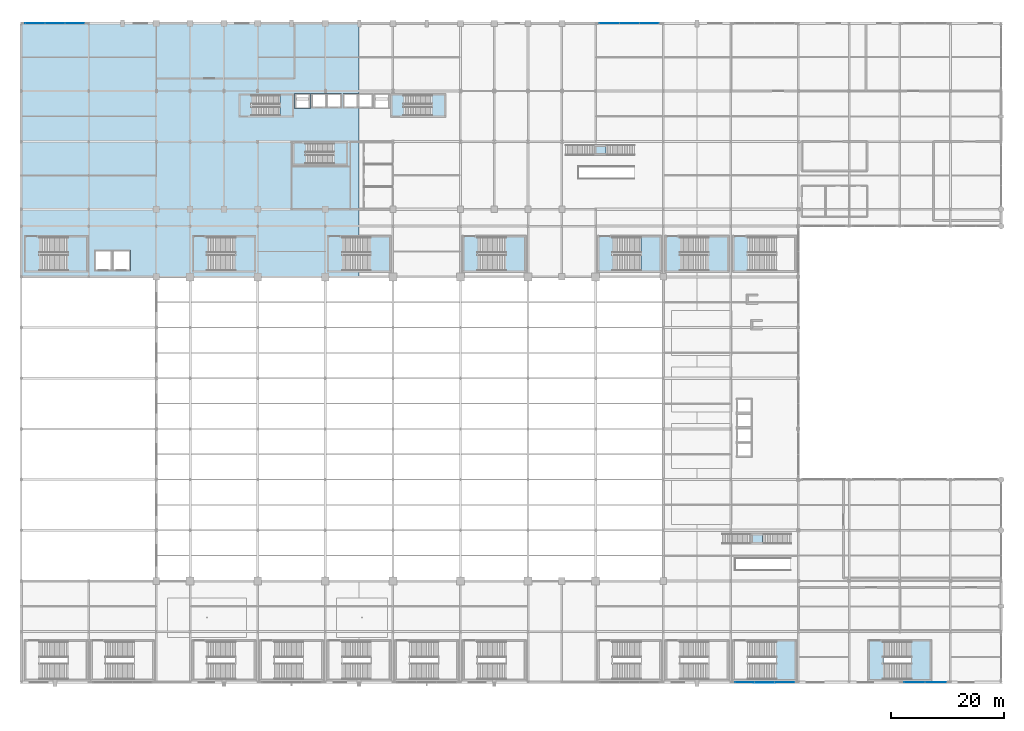
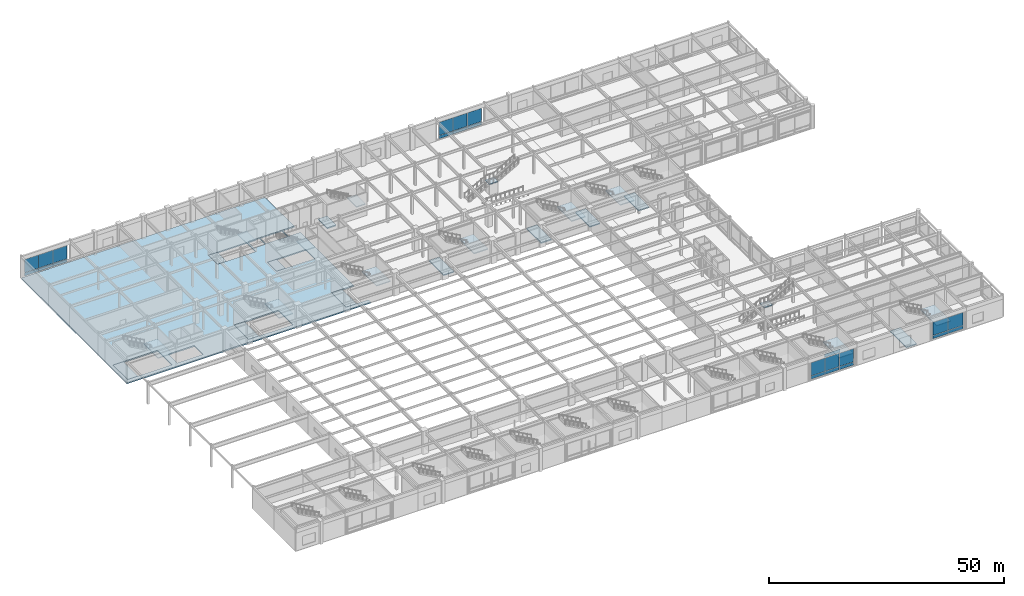
# One storey, part 80 of 105: 25 slabs, 23 plates, 17 elements without a shape of their own.
"""IFC4 building model written with IfcOpenShell, lengths in metres."""

from ifc_helpers import new_model, si_unit, direction, frame, origin, origin_2d, place, context, subcontext, project, spatial, polyline, rectangle, outline, extrude, material, layer, layer_set, type_object, element, aggregate, save


model = new_model("IFC4")

# Units and contexts
model_context = context("Model", 3, precision=1e-05, world=origin(), true_north=direction((0.0, 1.0)))
body_context = subcontext(model_context, "Body", "Model", "MODEL_VIEW")
ifc_project = project(units=[si_unit("LENGTHUNIT", "METRE"), si_unit("AREAUNIT", "SQUARE_METRE"), si_unit("VOLUMEUNIT", "CUBIC_METRE"), si_unit("PLANEANGLEUNIT", "RADIAN"), si_unit("MASSUNIT", "GRAM", prefix="KILO")], contexts=[model_context])

# Site, building, storey
site_placement = place(None, origin())
site = spatial("IfcSite", under=ifc_project, at=site_placement, CompositionType="ELEMENT")
building_placement = place(site_placement, origin())
building = spatial("IfcBuilding", under=site, at=building_placement, Name="Kaldorvane Square Convention Centre", CompositionType="ELEMENT")
storey_placement = place(building_placement, frame((0.0, 0.0, 6.0)))
storey = spatial("IfcBuildingStorey", under=building, at=storey_placement, Name="L01", CompositionType="ELEMENT", Elevation=6.0)

# Curtain wall, plates
ifc_material_1 = material(Name="Anodized Aluminum and Low-E Insulated Glazing", Category="aluminium")
curtain_wall_type_1 = type_object("IfcCurtainWallType", Name="CW-UNI-P60-12", PredefinedType="USERDEFINED", material=ifc_material_1)
curtain_wall_1_placement = place(storey_placement, origin())
curtain_wall_1 = element("IfcCurtainWall", 1, at=curtain_wall_1_placement, inside=storey, type_object=curtain_wall_type_1, Name="Curtain Wall CW-01 (L01)", ObjectType="UNITISED GLAZING", PredefinedType="USERDEFINED")
ifc_layer_1 = layer(ifc_material_1, 0.037994384765625)
ifc_layer_set_1 = layer_set([ifc_layer_1], Name="Anodized Aluminum and Low-E Insulated Glazing")
plate_type_1 = type_object("IfcPlateType", Name="CW-PNL-01", PredefinedType="CURTAIN_PANEL", material=ifc_layer_set_1)
plate_1_placement = place(storey_placement, frame((128.48541259765625, 0.0, 0.214996337890625), z_axis=(0.0, 0.0, 1.0), x_axis=(1.0, 0.0, 0.0)))
plate_1 = element("IfcPlate", 2, at=plate_1_placement, type_object=plate_type_1, Name="CW-01 panel 1.1", PredefinedType="CURTAIN_PANEL", context=body_context, shape_type="SweptSolid", body=[
    extrude(rectangle(XDim=3.42083740234375, YDim=0.037994384765625, at=origin_2d()), origin(), (0.0, 0.0, 1.0), 0.8025054931640625),
])
plate_2_placement = place(storey_placement, frame((128.48541259765625, 0.0, 1.0825042724609375), z_axis=(0.0, 0.0, 1.0), x_axis=(1.0, 0.0, 0.0)))
plate_2 = element("IfcPlate", 3, at=plate_2_placement, type_object=plate_type_1, Name="CW-01 panel 1.2", PredefinedType="CURTAIN_PANEL", context=body_context, shape_type="SweptSolid", body=[
    extrude(rectangle(XDim=3.42083740234375, YDim=0.037994384765625, at=origin_2d()), origin(), (0.0, 0.0, 1.0), 3.412506103515625),
])
plate_3_placement = place(storey_placement, frame((132.0, 0.0, 0.214996337890625), z_axis=(0.0, 0.0, 1.0), x_axis=(1.0, 0.0, 0.0)))
plate_3 = element("IfcPlate", 4, at=plate_3_placement, type_object=plate_type_1, Name="CW-01 panel 2.1", PredefinedType="CURTAIN_PANEL", context=body_context, shape_type="SweptSolid", body=[
    extrude(rectangle(XDim=3.4583282470703125, YDim=0.037994384765625, at=origin_2d()), origin(), (0.0, 0.0, 1.0), 0.8025054931640625),
])
plate_4_placement = place(storey_placement, frame((132.0, 0.0, 1.0825042724609375), z_axis=(0.0, 0.0, 1.0), x_axis=(1.0, 0.0, 0.0)))
plate_4 = element("IfcPlate", 5, at=plate_4_placement, type_object=plate_type_1, Name="CW-01 panel 2.2", PredefinedType="CURTAIN_PANEL", context=body_context, shape_type="SweptSolid", body=[
    extrude(rectangle(XDim=3.4583282470703125, YDim=0.037994384765625, at=origin_2d()), origin(), (0.0, 0.0, 1.0), 3.412506103515625),
])
plate_5_placement = place(storey_placement, frame((135.51458740234375, 0.0, 0.214996337890625), z_axis=(0.0, 0.0, 1.0), x_axis=(1.0, 0.0, 0.0)))
plate_5 = element("IfcPlate", 6, at=plate_5_placement, type_object=plate_type_1, Name="CW-01 panel 3.1", PredefinedType="CURTAIN_PANEL", context=body_context, shape_type="SweptSolid", body=[
    extrude(rectangle(XDim=3.42083740234375, YDim=0.037994384765625, at=origin_2d()), origin(), (0.0, 0.0, 1.0), 0.8025054931640625),
])
plate_6_placement = place(storey_placement, frame((135.51458740234375, 0.0, 1.0825042724609375), z_axis=(0.0, 0.0, 1.0), x_axis=(1.0, 0.0, 0.0)))
plate_6 = element("IfcPlate", 7, at=plate_6_placement, type_object=plate_type_1, Name="CW-01 panel 3.2", PredefinedType="CURTAIN_PANEL", context=body_context, shape_type="SweptSolid", body=[
    extrude(rectangle(XDim=3.42083740234375, YDim=0.037994384765625, at=origin_2d()), origin(), (0.0, 0.0, 1.0), 3.412506103515625),
])
aggregate(curtain_wall_1, [plate_1, plate_2, plate_3, plate_4, plate_5, plate_6])

curtain_wall_2_placement = place(storey_placement, origin())
curtain_wall_2 = element("IfcCurtainWall", 8, at=curtain_wall_2_placement, inside=storey, type_object=curtain_wall_type_1, Name="Curtain Wall CW-01 (L01)", ObjectType="UNITISED GLAZING", PredefinedType="USERDEFINED")
plate_7_placement = place(storey_placement, frame((158.61874389648438, 0.0, 0.214996337890625), z_axis=(0.0, 0.0, 1.0), x_axis=(1.0, 0.0, 0.0)))
plate_7 = element("IfcPlate", 9, at=plate_7_placement, type_object=plate_type_1, Name="CW-01 panel 1.1", PredefinedType="CURTAIN_PANEL", context=body_context, shape_type="SweptSolid", body=[
    extrude(rectangle(XDim=3.6875, YDim=0.037994384765625, at=origin_2d()), origin(), (0.0, 0.0, 1.0), 0.8025054931640625),
])
plate_8_placement = place(storey_placement, frame((158.61874389648438, 0.0, 1.0825042724609375), z_axis=(0.0, 0.0, 1.0), x_axis=(1.0, 0.0, 0.0)))
plate_8 = element("IfcPlate", 10, at=plate_8_placement, type_object=plate_type_1, Name="CW-01 panel 1.2", PredefinedType="CURTAIN_PANEL", context=body_context, shape_type="SweptSolid", body=[
    extrude(rectangle(XDim=3.6875, YDim=0.037994384765625, at=origin_2d()), origin(), (0.0, 0.0, 1.0), 3.412506103515625),
])
plate_9_placement = place(storey_placement, frame((162.38125610351562, 0.0, 0.214996337890625), z_axis=(0.0, 0.0, 1.0), x_axis=(1.0, 0.0, 0.0)))
plate_9 = element("IfcPlate", 11, at=plate_9_placement, type_object=plate_type_1, Name="CW-01 panel 2.1", PredefinedType="CURTAIN_PANEL", context=body_context, shape_type="SweptSolid", body=[
    extrude(rectangle(XDim=3.6875, YDim=0.037994384765625, at=origin_2d()), origin(), (0.0, 0.0, 1.0), 0.8025054931640625),
])
plate_10_placement = place(storey_placement, frame((162.38125610351562, 0.0, 1.0825042724609375), z_axis=(0.0, 0.0, 1.0), x_axis=(1.0, 0.0, 0.0)))
plate_10 = element("IfcPlate", 12, at=plate_10_placement, type_object=plate_type_1, Name="CW-01 panel 2.2", PredefinedType="CURTAIN_PANEL", context=body_context, shape_type="SweptSolid", body=[
    extrude(rectangle(XDim=3.6875, YDim=0.037994384765625, at=origin_2d()), origin(), (0.0, 0.0, 1.0), 3.412506103515625),
])
aggregate(curtain_wall_2, [plate_7, plate_8, plate_9, plate_10])

curtain_wall_type_2 = type_object("IfcCurtainWallType", Name="CW-UNI-P60-09", PredefinedType="USERDEFINED", material=ifc_material_1)
curtain_wall_3_placement = place(storey_placement, origin())
curtain_wall_3 = element("IfcCurtainWall", 13, at=curtain_wall_3_placement, inside=storey, type_object=curtain_wall_type_2, Name="Curtain Wall CW-02 (L01)", ObjectType="UNITISED GLAZING", PredefinedType="USERDEFINED")
ifc_layer_2 = layer(ifc_material_1, 0.0359954833984375)
ifc_layer_set_2 = layer_set([ifc_layer_2], Name="Anodized Aluminum and Low-E Insulated Glazing")
plate_type_2 = type_object("IfcPlateType", Name="CW-PNL-02", PredefinedType="CURTAIN_PANEL", material=ifc_layer_set_2)
plate_11_placement = place(storey_placement, frame((9.51708984375, 117.0, 0.2100067138671875), z_axis=(0.0, 0.0, 1.0), x_axis=(-1.0, 0.0, 0.0)))
plate_11 = element("IfcPlate", 14, at=plate_11_placement, type_object=plate_type_2, Name="CW-02 panel 1.1", PredefinedType="CURTAIN_PANEL", context=body_context, shape_type="SweptSolid", body=[
    extrude(rectangle(XDim=3.4358367919921875, YDim=0.0359954833984375, at=origin_2d()), origin(), (0.0, 0.0, 1.0), 0.80999755859375),
])
plate_12_placement = place(storey_placement, frame((9.51708984375, 117.0, 1.079986572265625), z_axis=(0.0, 0.0, 1.0), x_axis=(-1.0, 0.0, 0.0)))
plate_12 = element("IfcPlate", 15, at=plate_12_placement, type_object=plate_type_2, Name="CW-02 panel 1.2", PredefinedType="CURTAIN_PANEL", context=body_context, shape_type="SweptSolid", body=[
    extrude(rectangle(XDim=3.4358367919921875, YDim=0.0359954833984375, at=origin_2d()), origin(), (0.0, 0.0, 1.0), 3.4199981689453125),
])
plate_13_placement = place(storey_placement, frame((6.0, 117.0, 0.2100067138671875), z_axis=(0.0, 0.0, 1.0), x_axis=(-1.0, 0.0, 0.0)))
plate_13 = element("IfcPlate", 16, at=plate_13_placement, type_object=plate_type_2, Name="CW-02 panel 2.1", PredefinedType="CURTAIN_PANEL", context=body_context, shape_type="SweptSolid", body=[
    extrude(rectangle(XDim=3.4683380126953125, YDim=0.0359954833984375, at=origin_2d()), origin(), (0.0, 0.0, 1.0), 0.80999755859375),
])
plate_14_placement = place(storey_placement, frame((6.0, 117.0, 1.079986572265625), z_axis=(0.0, 0.0, 1.0), x_axis=(-1.0, 0.0, 0.0)))
plate_14 = element("IfcPlate", 17, at=plate_14_placement, type_object=plate_type_2, Name="CW-02 panel 2.2", PredefinedType="CURTAIN_PANEL", context=body_context, shape_type="SweptSolid", body=[
    extrude(rectangle(XDim=3.4683380126953125, YDim=0.0359954833984375, at=origin_2d()), origin(), (0.0, 0.0, 1.0), 3.4199981689453125),
])
plate_15_placement = place(storey_placement, frame((2.48291015625, 117.0, 0.2100067138671875), z_axis=(0.0, 0.0, 1.0), x_axis=(-1.0, 0.0, 0.0)))
plate_15 = element("IfcPlate", 18, at=plate_15_placement, type_object=plate_type_2, Name="CW-02 panel 3.1", PredefinedType="CURTAIN_PANEL", context=body_context, shape_type="SweptSolid", body=[
    extrude(rectangle(XDim=3.4358367919921875, YDim=0.0359954833984375, at=origin_2d()), origin(), (0.0, 0.0, 1.0), 0.80999755859375),
])
plate_16_placement = place(storey_placement, frame((2.48291015625, 117.0, 1.079986572265625), z_axis=(0.0, 0.0, 1.0), x_axis=(-1.0, 0.0, 0.0)))
plate_16 = element("IfcPlate", 19, at=plate_16_placement, type_object=plate_type_2, Name="CW-02 panel 3.2", PredefinedType="CURTAIN_PANEL", context=body_context, shape_type="SweptSolid", body=[
    extrude(rectangle(XDim=3.4358367919921875, YDim=0.0359954833984375, at=origin_2d()), origin(), (0.0, 0.0, 1.0), 3.4199981689453125),
])
aggregate(curtain_wall_3, [plate_11, plate_12, plate_13, plate_14, plate_15, plate_16])

curtain_wall_4_placement = place(storey_placement, origin())
curtain_wall_4 = element("IfcCurtainWall", 20, at=curtain_wall_4_placement, inside=storey, type_object=curtain_wall_type_2, Name="Curtain Wall CW-02 (L01)", ObjectType="UNITISED GLAZING", PredefinedType="USERDEFINED")
plate_17_placement = place(storey_placement, frame((111.51708984375, 117.0, 0.2100067138671875), z_axis=(0.0, 0.0, 1.0), x_axis=(-1.0, 0.0, 0.0)))
plate_17 = element("IfcPlate", 21, at=plate_17_placement, type_object=plate_type_2, Name="CW-02 panel 1.1", PredefinedType="CURTAIN_PANEL", context=body_context, shape_type="SweptSolid", body=[
    extrude(rectangle(XDim=3.4358367919921875, YDim=0.0359954833984375, at=origin_2d()), origin(), (0.0, 0.0, 1.0), 0.80999755859375),
])
plate_18_placement = place(storey_placement, frame((111.51708984375, 117.0, 1.079986572265625), z_axis=(0.0, 0.0, 1.0), x_axis=(-1.0, 0.0, 0.0)))
plate_18 = element("IfcPlate", 22, at=plate_18_placement, type_object=plate_type_2, Name="CW-02 panel 1.2", PredefinedType="CURTAIN_PANEL", context=body_context, shape_type="SweptSolid", body=[
    extrude(rectangle(XDim=3.4358367919921875, YDim=0.0359954833984375, at=origin_2d()), origin(), (0.0, 0.0, 1.0), 3.4199981689453125),
])
plate_19_placement = place(storey_placement, frame((108.0, 117.0, 0.2100067138671875), z_axis=(0.0, 0.0, 1.0), x_axis=(-1.0, 0.0, 0.0)))
plate_19 = element("IfcPlate", 23, at=plate_19_placement, type_object=plate_type_2, Name="CW-02 panel 2.1", PredefinedType="CURTAIN_PANEL", context=body_context, shape_type="SweptSolid", body=[
    extrude(rectangle(XDim=3.4683380126953125, YDim=0.0359954833984375, at=origin_2d()), origin(), (0.0, 0.0, 1.0), 0.80999755859375),
])
plate_20_placement = place(storey_placement, frame((108.0, 117.0, 1.079986572265625), z_axis=(0.0, 0.0, 1.0), x_axis=(-1.0, 0.0, 0.0)))
plate_20 = element("IfcPlate", 24, at=plate_20_placement, type_object=plate_type_2, Name="CW-02 panel 2.2", PredefinedType="CURTAIN_PANEL", context=body_context, shape_type="SweptSolid", body=[
    extrude(rectangle(XDim=3.4683380126953125, YDim=0.0359954833984375, at=origin_2d()), origin(), (0.0, 0.0, 1.0), 3.4199981689453125),
])
plate_21_placement = place(storey_placement, frame((104.48291015625, 117.0, 0.2100067138671875), z_axis=(0.0, 0.0, 1.0), x_axis=(-1.0, 0.0, 0.0)))
plate_21 = element("IfcPlate", 25, at=plate_21_placement, type_object=plate_type_2, Name="CW-02 panel 3.1", PredefinedType="CURTAIN_PANEL", context=body_context, shape_type="SweptSolid", body=[
    extrude(rectangle(XDim=3.4358367919921875, YDim=0.0359954833984375, at=origin_2d()), origin(), (0.0, 0.0, 1.0), 0.80999755859375),
])
plate_22_placement = place(storey_placement, frame((104.48291015625, 117.0, 1.079986572265625), z_axis=(0.0, 0.0, 1.0), x_axis=(-1.0, 0.0, 0.0)))
plate_22 = element("IfcPlate", 26, at=plate_22_placement, type_object=plate_type_2, Name="CW-02 panel 3.2", PredefinedType="CURTAIN_PANEL", context=body_context, shape_type="SweptSolid", body=[
    extrude(rectangle(XDim=3.4358367919921875, YDim=0.0359954833984375, at=origin_2d()), origin(), (0.0, 0.0, 1.0), 3.4199981689453125),
])
aggregate(curtain_wall_4, [plate_17, plate_18, plate_19, plate_20, plate_21, plate_22])

# Plate
ifc_material_2 = material(Name="Concrete f'c = 42 MPa (Normalweight) Precast", Category="concrete")
ifc_layer_3 = layer(ifc_material_2, 0.05999755859375)
ifc_layer_set_3 = layer_set([ifc_layer_3], Name="Concrete f'c = 42 MPa (Normalweight) Precast")
plate_type_3 = type_object("IfcPlateType", Name="PL-FASCIA-05", PredefinedType="USERDEFINED", material=ifc_layer_set_3)
plate_23_placement = place(storey_placement, frame((132.0, -0.0200042724609375, 4.75), z_axis=(0.0, 0.0, 1.0), x_axis=(1.0, 0.0, 0.0)))
element("IfcPlate", 27, at=plate_23_placement, inside=storey, type_object=plate_type_3, Name="Precast Spandrel Fascia Plate (L01)", ObjectType="CLADDING", PredefinedType="USERDEFINED", context=body_context, shape_type="SweptSolid", body=[
    extrude(rectangle(XDim=3.8000030517578125, YDim=0.05999755859375, at=origin_2d()), origin(), (0.0, 0.0, 1.0), 0.8000030517578125),
])

# Slabs
ifc_material_3 = material(Name="Concrete f'c = 42 MPa (Normalweight)", Category="concrete")
ifc_layer_4 = layer(ifc_material_3, 0.279998779296875)
ifc_layer_set_4 = layer_set([ifc_layer_4], Name="Concrete f'c = 42 MPa (Normalweight)")
slab_type_1 = type_object("IfcSlabType", Name="SL-FLND-280", PredefinedType="FLOOR", material=ifc_layer_set_4)
slab_1_placement = place(storey_placement, frame((0.0, 0.0, -0.279998779296875)))
element("IfcSlab", 28, at=slab_1_placement, inside=storey, type_object=slab_type_1, Name="Tower Exit Stair T1 Floor Landing (L01)", PredefinedType="FLOOR", context=body_context, shape_type="SweptSolid", body=[
    extrude(outline(polyline([(38.779998779296875, 100.49000549316406), (40.97999572753906, 100.49000549316406), (40.97999572753906, 104.3699951171875), (38.779998779296875, 104.3699951171875), (38.779998779296875, 100.49000549316406)])), origin(), (0.0, 0.0, 1.0), 0.279998779296875),
])
slab_2_placement = place(storey_placement, frame((0.0, 0.0, -0.279998779296875)))
element("IfcSlab", 29, at=slab_2_placement, inside=storey, type_object=slab_type_1, Name="Tower Exit Stair T2 Floor Landing (L01)", PredefinedType="FLOOR", context=body_context, shape_type="SweptSolid", body=[
    extrude(outline(polyline([(65.77999877929688, 100.49000549316406), (67.97999572753906, 100.49000549316406), (67.97999572753906, 104.3699951171875), (65.77999877929688, 104.3699951171875), (65.77999877929688, 100.49000549316406)])), origin(), (0.0, 0.0, 1.0), 0.279998779296875),
])
slab_3_placement = place(storey_placement, frame((0.0, 0.0, -0.279998779296875)))
element("IfcSlab", 30, at=slab_3_placement, inside=storey, type_object=slab_type_1, Name="Tower Exit Stair T3 Floor Landing (L01)", PredefinedType="FLOOR", context=body_context, shape_type="SweptSolid", body=[
    extrude(outline(polyline([(48.3800048828125, 91.94000244140625), (50.58000183105469, 91.94000244140625), (50.58000183105469, 95.82000732421875), (48.3800048828125, 95.82000732421875), (48.3800048828125, 91.94000244140625)])), origin(), (0.0, 0.0, 1.0), 0.279998779296875),
])
slab_4_placement = place(storey_placement, frame((0.0, 0.0, -0.279998779296875)))
element("IfcSlab", 31, at=slab_4_placement, inside=storey, type_object=slab_type_1, Name="Convention Exit Stair C11 Floor Landing (L01)", PredefinedType="FLOOR", context=body_context, shape_type="SweptSolid", body=[
    extrude(outline(polyline([(150.52000427246094, 0.42999267578125), (153.07000732421875, 0.42999267578125), (153.07000732421875, 7.3800048828125), (150.52000427246094, 7.3800048828125), (150.52000427246094, 0.42999267578125)])), origin(), (0.0, 0.0, 1.0), 0.279998779296875),
])
slab_5_placement = place(storey_placement, frame((0.0, 0.0, -0.279998779296875)))
element("IfcSlab", 32, at=slab_5_placement, inside=storey, type_object=slab_type_1, Name="Convention Exit Stair C12 Floor Landing (L01)", PredefinedType="FLOOR", context=body_context, shape_type="SweptSolid", body=[
    extrude(outline(polyline([(0.7400054931640625, 72.97999572753906), (3.2899932861328125, 72.97999572753906), (3.2899932861328125, 79.17999267578125), (0.7400054931640625, 79.17999267578125), (0.7400054931640625, 72.97999572753906)])), origin(), (0.0, 0.0, 1.0), 0.279998779296875),
])
slab_6_placement = place(storey_placement, frame((0.0, 0.0, -0.279998779296875)))
element("IfcSlab", 33, at=slab_6_placement, inside=storey, type_object=slab_type_1, Name="Convention Exit Stair C13 Floor Landing (L01)", PredefinedType="FLOOR", context=body_context, shape_type="SweptSolid", body=[
    extrude(outline(polyline([(30.520004272460938, 72.97999572753906), (33.07000732421875, 72.97999572753906), (33.07000732421875, 79.17999267578125), (30.520004272460938, 79.17999267578125), (30.520004272460938, 72.97999572753906)])), origin(), (0.0, 0.0, 1.0), 0.279998779296875),
])
slab_7_placement = place(storey_placement, frame((0.0, 0.0, -0.279998779296875)))
element("IfcSlab", 34, at=slab_7_placement, inside=storey, type_object=slab_type_1, Name="Convention Exit Stair C14 Floor Landing (L01)", PredefinedType="FLOOR", context=body_context, shape_type="SweptSolid", body=[
    extrude(outline(polyline([(54.52000427246094, 72.97999572753906), (57.07000732421875, 72.97999572753906), (57.07000732421875, 79.17999267578125), (54.52000427246094, 79.17999267578125), (54.52000427246094, 72.97999572753906)])), origin(), (0.0, 0.0, 1.0), 0.279998779296875),
])
slab_8_placement = place(storey_placement, frame((0.0, 0.0, -0.279998779296875)))
element("IfcSlab", 35, at=slab_8_placement, inside=storey, type_object=slab_type_1, Name="Convention Exit Stair C15 Floor Landing (L01)", PredefinedType="FLOOR", context=body_context, shape_type="SweptSolid", body=[
    extrude(outline(polyline([(78.52000427246094, 72.97999572753906), (81.07000732421875, 72.97999572753906), (81.07000732421875, 79.17999267578125), (78.52000427246094, 79.17999267578125), (78.52000427246094, 72.97999572753906)])), origin(), (0.0, 0.0, 1.0), 0.279998779296875),
])
slab_9_placement = place(storey_placement, frame((0.0, 0.0, -0.279998779296875)))
element("IfcSlab", 36, at=slab_9_placement, inside=storey, type_object=slab_type_1, Name="Convention Exit Stair C16 Floor Landing (L01)", PredefinedType="FLOOR", context=body_context, shape_type="SweptSolid", body=[
    extrude(outline(polyline([(102.52000427246094, 72.97999572753906), (105.07000732421875, 72.97999572753906), (105.07000732421875, 79.17999267578125), (102.52000427246094, 79.17999267578125), (102.52000427246094, 72.97999572753906)])), origin(), (0.0, 0.0, 1.0), 0.279998779296875),
])
slab_10_placement = place(storey_placement, frame((0.0, 0.0, -0.279998779296875)))
element("IfcSlab", 37, at=slab_10_placement, inside=storey, type_object=slab_type_1, Name="Convention Exit Stair C17 Floor Landing (L01)", PredefinedType="FLOOR", context=body_context, shape_type="SweptSolid", body=[
    extrude(outline(polyline([(114.52000427246094, 72.97999572753906), (117.07000732421875, 72.97999572753906), (117.07000732421875, 79.17999267578125), (114.52000427246094, 79.17999267578125), (114.52000427246094, 72.97999572753906)])), origin(), (0.0, 0.0, 1.0), 0.279998779296875),
])
slab_11_placement = place(storey_placement, frame((0.0, 0.0, -0.279998779296875)))
element("IfcSlab", 38, at=slab_11_placement, inside=storey, type_object=slab_type_1, Name="Convention Exit Stair C18 Floor Landing (L01)", PredefinedType="FLOOR", context=body_context, shape_type="SweptSolid", body=[
    extrude(outline(polyline([(126.52000427246094, 72.97999572753906), (129.07000732421875, 72.97999572753906), (129.07000732421875, 79.17999267578125), (126.52000427246094, 79.17999267578125), (126.52000427246094, 72.97999572753906)])), origin(), (0.0, 0.0, 1.0), 0.279998779296875),
])

# Stair, slab
stair_type_1 = type_object("IfcStairType", Name="ST-DL-1600-6000", PredefinedType="HALF_TURN_STAIR", material=ifc_material_3)
stair_1_placement = place(storey_placement, origin())
stair_1 = element("IfcStair", 39, at=stair_1_placement, inside=storey, type_object=stair_type_1, Name="Tower Exit Stair T1 (L01)", PredefinedType="HALF_TURN_STAIR")
ifc_layer_5 = layer(ifc_material_3, 0.2400054931640625)
ifc_layer_set_5 = layer_set([ifc_layer_5], Name="Concrete f'c = 42 MPa (Normalweight)")
slab_type_2 = type_object("IfcSlabType", Name="SL-LAND-240", PredefinedType="LANDING", material=ifc_layer_set_5)
slab_12_placement = place(storey_placement, frame((0.0, 0.0, 2.7599945068359375)))
slab_12 = element("IfcSlab", 40, at=slab_12_placement, type_object=slab_type_2, Name="Tower Exit Stair T1 Half Landing (L01)", PredefinedType="LANDING", context=body_context, shape_type="SweptSolid", body=[
    extrude(outline(polyline([(45.91999816894531, 100.49000549316406), (48.220001220703125, 100.49000549316406), (48.220001220703125, 104.3699951171875), (45.91999816894531, 104.3699951171875), (45.91999816894531, 100.49000549316406)])), origin(), (0.0, 0.0, 1.0), 0.2400054931640625),
])
aggregate(stair_1, [slab_12])

stair_2_placement = place(storey_placement, origin())
stair_2 = element("IfcStair", 41, at=stair_2_placement, inside=storey, type_object=stair_type_1, Name="Tower Exit Stair T2 (L01)", PredefinedType="HALF_TURN_STAIR")
slab_13_placement = place(storey_placement, frame((0.0, 0.0, 2.7599945068359375)))
slab_13 = element("IfcSlab", 42, at=slab_13_placement, type_object=slab_type_2, Name="Tower Exit Stair T2 Half Landing (L01)", PredefinedType="LANDING", context=body_context, shape_type="SweptSolid", body=[
    extrude(outline(polyline([(72.91999816894531, 100.49000549316406), (75.22000122070312, 100.49000549316406), (75.22000122070312, 104.3699951171875), (72.91999816894531, 104.3699951171875), (72.91999816894531, 100.49000549316406)])), origin(), (0.0, 0.0, 1.0), 0.2400054931640625),
])
aggregate(stair_2, [slab_13])

stair_3_placement = place(storey_placement, origin())
stair_3 = element("IfcStair", 43, at=stair_3_placement, inside=storey, type_object=stair_type_1, Name="Tower Exit Stair T3 (L01)", PredefinedType="HALF_TURN_STAIR")
slab_14_placement = place(storey_placement, frame((0.0, 0.0, 2.7599945068359375)))
slab_14 = element("IfcSlab", 44, at=slab_14_placement, type_object=slab_type_2, Name="Tower Exit Stair T3 Half Landing (L01)", PredefinedType="LANDING", context=body_context, shape_type="SweptSolid", body=[
    extrude(outline(polyline([(55.52000427246094, 91.94000244140625), (57.82000732421875, 91.94000244140625), (57.82000732421875, 95.82000732421875), (55.52000427246094, 95.82000732421875), (55.52000427246094, 91.94000244140625)])), origin(), (0.0, 0.0, 1.0), 0.2400054931640625),
])
aggregate(stair_3, [slab_14])

stair_type_2 = type_object("IfcStairType", Name="ST-DL-2800-6000-D6710", PredefinedType="HALF_TURN_STAIR", material=ifc_material_3)
stair_4_placement = place(storey_placement, origin())
stair_4 = element("IfcStair", 45, at=stair_4_placement, inside=storey, type_object=stair_type_2, Name="Convention Exit Stair C10 (L01)", PredefinedType="HALF_TURN_STAIR")
slab_15_placement = place(storey_placement, frame((0.0, 0.0, 2.7599945068359375)))
slab_15 = element("IfcSlab", 46, at=slab_15_placement, type_object=slab_type_2, Name="Convention Exit Stair C10 Half Landing (L01)", PredefinedType="LANDING", context=body_context, shape_type="SweptSolid", body=[
    extrude(outline(polyline([(134.00999450683594, 0.42999267578125), (137.47999572753906, 0.42999267578125), (137.47999572753906, 7.3800048828125), (134.00999450683594, 7.3800048828125), (134.00999450683594, 0.42999267578125)])), origin(), (0.0, 0.0, 1.0), 0.2400054931640625),
])
aggregate(stair_4, [slab_15])

stair_5_placement = place(storey_placement, origin())
stair_5 = element("IfcStair", 47, at=stair_5_placement, inside=storey, type_object=stair_type_2, Name="Convention Exit Stair C11 (L01)", PredefinedType="HALF_TURN_STAIR")
slab_16_placement = place(storey_placement, frame((0.0, 0.0, 2.7599945068359375)))
slab_16 = element("IfcSlab", 48, at=slab_16_placement, type_object=slab_type_2, Name="Convention Exit Stair C11 Half Landing (L01)", PredefinedType="LANDING", context=body_context, shape_type="SweptSolid", body=[
    extrude(outline(polyline([(158.00999450683594, 0.42999267578125), (161.47999572753906, 0.42999267578125), (161.47999572753906, 7.3800048828125), (158.00999450683594, 7.3800048828125), (158.00999450683594, 0.42999267578125)])), origin(), (0.0, 0.0, 1.0), 0.2400054931640625),
])
aggregate(stair_5, [slab_16])

stair_type_3 = type_object("IfcStairType", Name="ST-DL-2800-6000", PredefinedType="HALF_TURN_STAIR", material=ifc_material_3)
stair_6_placement = place(storey_placement, origin())
stair_6 = element("IfcStair", 49, at=stair_6_placement, inside=storey, type_object=stair_type_3, Name="Convention Exit Stair C12 (L01)", PredefinedType="HALF_TURN_STAIR")
slab_17_placement = place(storey_placement, frame((0.0, 0.0, 2.7599945068359375)))
slab_17 = element("IfcSlab", 50, at=slab_17_placement, type_object=slab_type_2, Name="Convention Exit Stair C12 Half Landing (L01)", PredefinedType="LANDING", context=body_context, shape_type="SweptSolid", body=[
    extrude(outline(polyline([(8.229995727539062, 72.97999572753906), (11.699996948242188, 72.97999572753906), (11.699996948242188, 79.17999267578125), (8.229995727539062, 79.17999267578125), (8.229995727539062, 72.97999572753906)])), origin(), (0.0, 0.0, 1.0), 0.2400054931640625),
])
aggregate(stair_6, [slab_17])

stair_7_placement = place(storey_placement, origin())
stair_7 = element("IfcStair", 51, at=stair_7_placement, inside=storey, type_object=stair_type_3, Name="Convention Exit Stair C13 (L01)", PredefinedType="HALF_TURN_STAIR")
slab_18_placement = place(storey_placement, frame((0.0, 0.0, 2.7599945068359375)))
slab_18 = element("IfcSlab", 52, at=slab_18_placement, type_object=slab_type_2, Name="Convention Exit Stair C13 Half Landing (L01)", PredefinedType="LANDING", context=body_context, shape_type="SweptSolid", body=[
    extrude(outline(polyline([(38.00999450683594, 72.97999572753906), (41.47999572753906, 72.97999572753906), (41.47999572753906, 79.17999267578125), (38.00999450683594, 79.17999267578125), (38.00999450683594, 72.97999572753906)])), origin(), (0.0, 0.0, 1.0), 0.2400054931640625),
])
aggregate(stair_7, [slab_18])

stair_8_placement = place(storey_placement, origin())
stair_8 = element("IfcStair", 53, at=stair_8_placement, inside=storey, type_object=stair_type_3, Name="Convention Exit Stair C14 (L01)", PredefinedType="HALF_TURN_STAIR")
slab_19_placement = place(storey_placement, frame((0.0, 0.0, 2.7599945068359375)))
slab_19 = element("IfcSlab", 54, at=slab_19_placement, type_object=slab_type_2, Name="Convention Exit Stair C14 Half Landing (L01)", PredefinedType="LANDING", context=body_context, shape_type="SweptSolid", body=[
    extrude(outline(polyline([(62.00999450683594, 72.97999572753906), (65.47999572753906, 72.97999572753906), (65.47999572753906, 79.17999267578125), (62.00999450683594, 79.17999267578125), (62.00999450683594, 72.97999572753906)])), origin(), (0.0, 0.0, 1.0), 0.2400054931640625),
])
aggregate(stair_8, [slab_19])

stair_9_placement = place(storey_placement, origin())
stair_9 = element("IfcStair", 55, at=stair_9_placement, inside=storey, type_object=stair_type_3, Name="Convention Exit Stair C15 (L01)", PredefinedType="HALF_TURN_STAIR")
slab_20_placement = place(storey_placement, frame((0.0, 0.0, 2.7599945068359375)))
slab_20 = element("IfcSlab", 56, at=slab_20_placement, type_object=slab_type_2, Name="Convention Exit Stair C15 Half Landing (L01)", PredefinedType="LANDING", context=body_context, shape_type="SweptSolid", body=[
    extrude(outline(polyline([(86.00999450683594, 72.97999572753906), (89.47999572753906, 72.97999572753906), (89.47999572753906, 79.17999267578125), (86.00999450683594, 79.17999267578125), (86.00999450683594, 72.97999572753906)])), origin(), (0.0, 0.0, 1.0), 0.2400054931640625),
])
aggregate(stair_9, [slab_20])

stair_10_placement = place(storey_placement, origin())
stair_10 = element("IfcStair", 57, at=stair_10_placement, inside=storey, type_object=stair_type_3, Name="Convention Exit Stair C16 (L01)", PredefinedType="HALF_TURN_STAIR")
slab_21_placement = place(storey_placement, frame((0.0, 0.0, 2.7599945068359375)))
slab_21 = element("IfcSlab", 58, at=slab_21_placement, type_object=slab_type_2, Name="Convention Exit Stair C16 Half Landing (L01)", PredefinedType="LANDING", context=body_context, shape_type="SweptSolid", body=[
    extrude(outline(polyline([(110.00999450683594, 72.97999572753906), (113.47999572753906, 72.97999572753906), (113.47999572753906, 79.17999267578125), (110.00999450683594, 79.17999267578125), (110.00999450683594, 72.97999572753906)])), origin(), (0.0, 0.0, 1.0), 0.2400054931640625),
])
aggregate(stair_10, [slab_21])

stair_11_placement = place(storey_placement, origin())
stair_11 = element("IfcStair", 59, at=stair_11_placement, inside=storey, type_object=stair_type_3, Name="Convention Exit Stair C17 (L01)", PredefinedType="HALF_TURN_STAIR")
slab_22_placement = place(storey_placement, frame((0.0, 0.0, 2.7599945068359375)))
slab_22 = element("IfcSlab", 60, at=slab_22_placement, type_object=slab_type_2, Name="Convention Exit Stair C17 Half Landing (L01)", PredefinedType="LANDING", context=body_context, shape_type="SweptSolid", body=[
    extrude(outline(polyline([(122.00999450683594, 72.97999572753906), (125.47999572753906, 72.97999572753906), (125.47999572753906, 79.17999267578125), (122.00999450683594, 79.17999267578125), (122.00999450683594, 72.97999572753906)])), origin(), (0.0, 0.0, 1.0), 0.2400054931640625),
])
aggregate(stair_11, [slab_22])

ifc_material_4 = material(Name="Steel ASTM A500 Gr. C", Category="steel")
stair_type_4 = type_object("IfcStairType", Name="ST-STR-1800-6000", PredefinedType="STRAIGHT_RUN_STAIR", material=ifc_material_4)
stair_12_placement = place(storey_placement, origin())
stair_12 = element("IfcStair", 61, at=stair_12_placement, inside=storey, type_object=stair_type_4, Name="East Foyer Grand Stair F2 (L01)", PredefinedType="STRAIGHT_RUN_STAIR")
slab_23_placement = place(storey_placement, frame((0.0, 0.0, 2.7599945068359375)))
slab_23 = element("IfcSlab", 62, at=slab_23_placement, type_object=slab_type_2, Name="East Foyer Grand Stair F2 Mid Landing (L01)", PredefinedType="LANDING", context=body_context, shape_type="SweptSolid", body=[
    extrude(outline(polyline([(129.5, 24.600006103515625), (131.66000366210938, 24.600006103515625), (131.66000366210938, 26.399993896484375), (129.5, 26.399993896484375), (129.5, 24.600006103515625)])), origin(), (0.0, 0.0, 1.0), 0.2400054931640625),
])
aggregate(stair_12, [slab_23])

stair_13_placement = place(storey_placement, origin())
stair_13 = element("IfcStair", 63, at=stair_13_placement, inside=storey, type_object=stair_type_4, Name="Hotel Atrium Grand Stair F6 (L01)", PredefinedType="STRAIGHT_RUN_STAIR")
slab_24_placement = place(storey_placement, frame((0.0, 0.0, 2.7599945068359375)))
slab_24 = element("IfcSlab", 64, at=slab_24_placement, type_object=slab_type_2, Name="Hotel Atrium Grand Stair F6 Mid Landing (L01)", PredefinedType="LANDING", context=body_context, shape_type="SweptSolid", body=[
    extrude(outline(polyline([(101.69999694824219, 93.60000610351562), (103.86000061035156, 93.60000610351562), (103.86000061035156, 95.39999389648438), (101.69999694824219, 95.39999389648438), (101.69999694824219, 93.60000610351562)])), origin(), (0.0, 0.0, 1.0), 0.2400054931640625),
])
aggregate(stair_13, [slab_24])

# Slab
ifc_layer_6 = layer(ifc_material_3, 0.3249969482421875)
ifc_layer_set_6 = layer_set([ifc_layer_6], Name="Concrete f'c = 42 MPa (Normalweight)")
slab_type_3 = type_object("IfcSlabType", Name="SL-POD-280", PredefinedType="FLOOR", material=ifc_layer_set_6)
slab_25_placement = place(storey_placement, frame((0.0, 0.0, -0.32000732421875)))
element("IfcSlab", 65, at=slab_25_placement, inside=storey, type_object=slab_type_3, Name="Podium Composite Floor Slab L01-1", PredefinedType="FLOOR", context=body_context, shape_type="SweptSolid", body=[
    extrude(outline(polyline([(0.0, 117.0), (60.0, 117.0), (60.0, 104.55000305175781), (59.80000305175781, 104.55000305175781), (57.100006103515625, 104.55000305175781), (57.100006103515625, 101.94999694824219), (59.80000305175781, 101.94999694824219), (60.0, 101.94999694824219), (60.0, 79.17999267578125), (54.52000427246094, 79.17999267578125), (54.52000427246094, 72.97999572753906), (60.0, 72.97999572753906), (60.0, 72.0), (24.0, 72.0), (0.0, 72.0), (0.0, 117.0)]), holes=[polyline([(19.399993896484375, 76.80000305175781), (16.199996948242188, 76.80000305175781), (13.0, 76.80000305175781), (13.0, 73.0), (16.199996948242188, 73.0), (19.399993896484375, 73.0), (19.399993896484375, 76.80000305175781)]), polyline([(30.520004272460938, 72.97999572753906), (41.47999572753906, 72.97999572753906), (41.47999572753906, 79.17999267578125), (30.520004272460938, 79.17999267578125), (30.520004272460938, 72.97999572753906)]), polyline([(0.7400054931640625, 72.97999572753906), (11.699996948242188, 72.97999572753906), (11.699996948242188, 79.17999267578125), (0.7400054931640625, 79.17999267578125), (0.7400054931640625, 72.97999572753906)]), polyline([(57.82000732421875, 91.94000244140625), (57.82000732421875, 95.82000732421875), (48.3800048828125, 95.82000732421875), (48.3800048828125, 91.94000244140625), (57.82000732421875, 91.94000244140625)]), polyline([(48.220001220703125, 100.49000549316406), (48.220001220703125, 104.3699951171875), (38.779998779296875, 104.3699951171875), (38.779998779296875, 100.49000549316406), (48.220001220703125, 100.49000549316406)]), polyline([(51.350006103515625, 101.85000610351562), (51.350006103515625, 104.55000305175781), (48.55000305175781, 104.55000305175781), (48.55000305175781, 101.85000610351562), (51.350006103515625, 101.85000610351562)]), polyline([(54.19999694824219, 101.94999694824219), (56.899993896484375, 101.94999694824219), (56.899993896484375, 104.55000305175781), (54.19999694824219, 104.55000305175781), (51.5, 104.55000305175781), (51.5, 101.94999694824219), (54.19999694824219, 101.94999694824219)])]), origin(), (0.0, 0.0, 1.0), 0.32000732421875),
])

save(model, "model.ifc")
